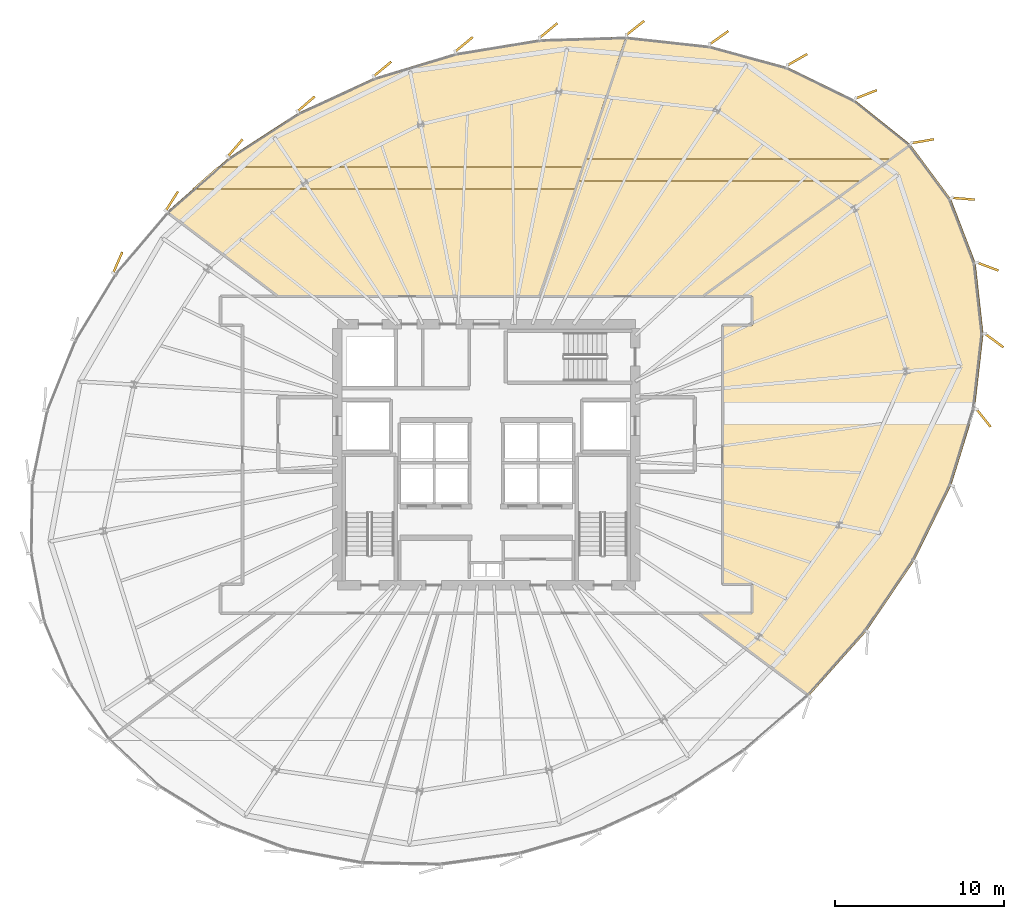
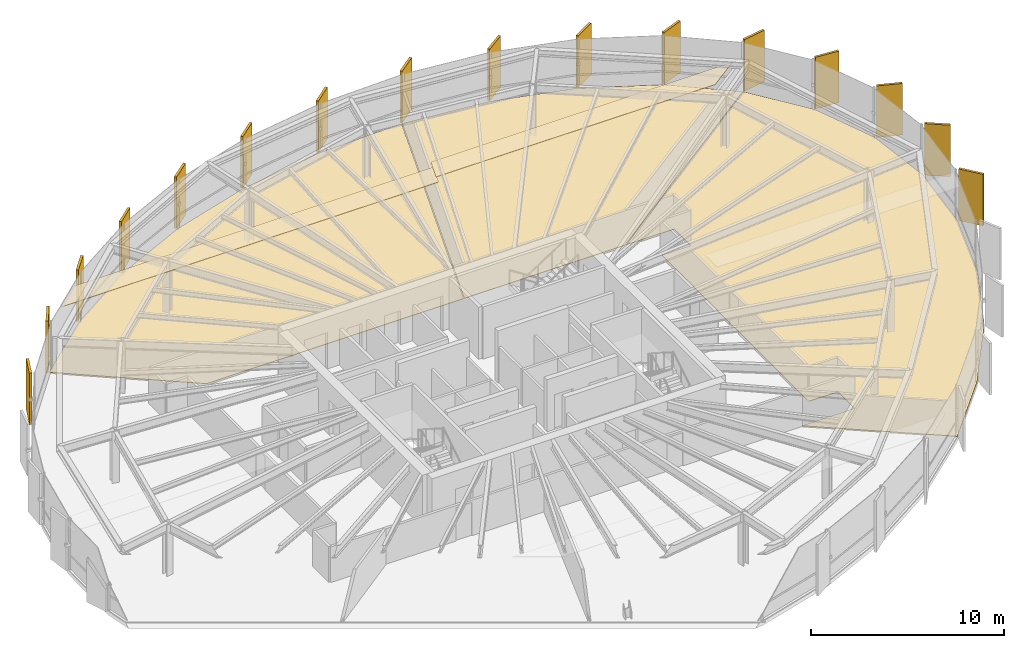
# One storey, part 36 of 36: 21 coverings.
"""IFC4 building model written with IfcOpenShell, lengths in metres."""

from ifc_helpers import new_model, si_unit, direction, frame, origin, origin_2d, place, context, subcontext, project, spatial, polyline, rectangle, outline, extrude, source, transform, mapped, material, layer, layer_set, type_object, element, save


model = new_model("IFC4")

# Units and contexts
model_context = context("Model", 3, precision=1e-05, world=origin(), true_north=direction((0.0, 1.0)))
body_context = subcontext(model_context, "Body", "Model", "MODEL_VIEW")
ifc_project = project(units=[si_unit("LENGTHUNIT", "METRE"), si_unit("AREAUNIT", "SQUARE_METRE"), si_unit("VOLUMEUNIT", "CUBIC_METRE"), si_unit("PLANEANGLEUNIT", "RADIAN"), si_unit("MASSUNIT", "GRAM", prefix="KILO"), si_unit("THERMODYNAMICTEMPERATUREUNIT", "KELVIN")], contexts=[model_context])

# Site, building, storey
site_placement = place(None, origin())
site = spatial("IfcSite", under=ifc_project, at=site_placement, CompositionType="ELEMENT")
building_placement = place(site_placement, origin())
building = spatial("IfcBuilding", under=site, at=building_placement, Name="Kethvar Cultural Tower", CompositionType="ELEMENT")
storey_placement = place(building_placement, frame((0.0, 0.0, 150.10009765625)))
storey = spatial("IfcBuildingStorey", under=building, at=storey_placement, Name="L38", CompositionType="ELEMENT", Elevation=150.10009765625)

# Coverings
ifc_material_1 = material(Name="Acoustic Mineral Fibre Ceiling")
ifc_layer_1 = layer(ifc_material_1, 0.0400390625, Name="Acoustic Mineral Fibre Ceiling")
ifc_layer_set_1 = layer_set([ifc_layer_1], Name="Acoustic Mineral Fibre Ceiling (40 mm)")
covering_type_1 = type_object("IfcCoveringType", Name="CV-ACOUSTIC-CEIL", PredefinedType="CEILING", material=ifc_layer_set_1)
covering_1_placement = place(storey_placement, frame((0.0, 0.0, 2.77978515625)))
element("IfcCovering", 1, at=covering_1_placement, inside=storey, type_object=covering_type_1, Name="L38 Room 04 Acoustic Ceiling Panel", PredefinedType="CEILING", context=body_context, shape_type="SweptSolid", body=[
    extrude(outline(polyline([(68.905517578125, 43.9609375), (52.185302734375, 43.9609375), (52.62353515625, 45.27099609375), (70.694580078125, 45.27099609375), (68.905517578125, 43.9609375)])), origin(), (0.0, 0.0, 1.0), 0.0400390625),
])
covering_2_placement = place(storey_placement, frame((0.0, 0.0, 2.77978515625)))
element("IfcCovering", 2, at=covering_2_placement, inside=storey, type_object=covering_type_1, Name="L38 Room 05 Acoustic Ceiling Panel", PredefinedType="CEILING", context=body_context, shape_type="SweptSolid", body=[
    extrude(outline(polyline([(30.9296875, 44.80810546875), (52.510986328125, 44.80810546875), (52.072509765625, 43.498046875), (29.432861328125, 43.498046875), (30.9296875, 44.80810546875)])), origin(), (0.0, 0.0, 1.0), 0.0400390625),
])
ifc_material_2 = material(Name="Honed Warm Limestone", Category="masonry")
ifc_layer_2 = layer(ifc_material_2, 0.030029296875, Name="Honed Warm Limestone", Category="masonry")
ifc_layer_set_2 = layer_set([ifc_layer_2], Name="Honed Warm Limestone (30 mm)")
covering_type_2 = type_object("IfcCoveringType", Name="CV-STONE-FLOOR", PredefinedType="FLOORING", material=ifc_layer_set_2)
covering_3_placement = place(storey_placement, origin())
element("IfcCovering", 3, at=covering_3_placement, inside=storey, type_object=covering_type_2, Name="L38 Room 03 Floor Finish", PredefinedType="FLOORING", context=body_context, shape_type="SweptSolid", body=[
    extrude(outline(polyline([(76.1455078125, 34.94287109375), (75.641845703125, 30.512451171875), (74.24755859375, 25.990966796875), (72.068359375, 21.551025390625), (69.2275390625, 17.359619140625), (65.860595703125, 13.577392578125), (59.368896484375, 18.429931640625), (62.52001953125, 18.449951171875), (62.51416015625, 20.1640625), (60.77001953125, 20.169921875), (60.77001953125, 35.429931640625), (62.51416015625, 35.435791015625), (62.51953125, 37.15380859375), (59.630859375, 37.169921875), (71.843017578125, 46.11181640625), (74.238525390625, 42.884521484375), (75.68603515625, 39.1162109375), (76.1455078125, 34.94287109375)])), origin(), (0.0, 0.0, 1.0), 0.02978515625),
])
covering_4_placement = place(storey_placement, origin())
element("IfcCovering", 4, at=covering_4_placement, inside=storey, type_object=covering_type_2, Name="L38 Room 04 Floor Finish", PredefinedType="FLOORING", context=body_context, shape_type="SweptSolid", body=[
    extrude(outline(polyline([(59.979736328125, 51.944091796875), (64.544189453125, 50.698486328125), (68.554931640625, 48.749755859375), (71.814208984375, 46.140380859375), (59.56298828125, 37.169921875), (49.955810546875, 37.169921875), (55.077880859375, 52.4814453125), (59.979736328125, 51.944091796875)])), origin(), (0.0, 0.0, 1.0), 0.02978515625),
])
covering_5_placement = place(storey_placement, origin())
element("IfcCovering", 5, at=covering_5_placement, inside=storey, type_object=covering_type_2, Name="L38 Room 05 Floor Finish", PredefinedType="FLOORING", context=body_context, shape_type="SweptSolid", body=[
    extrude(outline(polyline([(27.960205078125, 42.15625), (31.590087890625, 45.332763671875), (35.69970703125, 47.991455078125), (40.181884765625, 50.05615234375), (44.98779296875, 51.511474609375), (50.001953125, 52.330322265625), (55.035888671875, 52.482177734375), (49.91357421875, 37.169921875), (34.514892578125, 37.169921875), (27.960205078125, 42.15625)])), origin(), (0.0, 0.0, 1.0), 0.02978515625),
])
ifc_material_3 = material(Name="Extruded Architectural Terracotta", Category="masonry")
ifc_layer_3 = layer(ifc_material_3, 0.135009765625, Name="Extruded Architectural Terracotta", Category="masonry")
ifc_layer_set_3 = layer_set([ifc_layer_3], Name="Extruded Architectural Terracotta (135 mm)")
covering_type_3 = type_object("IfcCoveringType", Name="Terracotta Facade Fin FIN-02", PredefinedType="CLADDING", material=ifc_layer_set_3)
shared_shape = source(origin(), body_context, "Body", "SweptSolid", [
    extrude(rectangle(XDim=1.35009765625, YDim=0.135009765625, at=origin_2d()), origin(), (0.0, 0.0, 1.0), 3.260009765625),
])
for number, where, z_axis, x_axis, name in (
    (6, (74.969970703125, 42.919189453125, 0.02001953125), (0.0, 0.0, 1.0), (0.996806812434, -0.079850977983, 0.0), "L38 Vertical Terracotta Fin 1.1"),
    (7, (72.5625, 46.316650390625, 0.02001953125), (0.0, 0.0, 1.0), (0.985496884887, 0.169693517489, 0.0), "L38 Vertical Terracotta Fin 1.2"),
    (8, (69.2294921875, 49.083984375, 0.02001953125), (0.0, 0.0, 1.0), (0.931627814096, 0.363413835735, 0.0), "L38 Vertical Terracotta Fin 1.3"),
    (9, (65.158447265625, 51.12939453125, 0.02001953125), (0.0, 0.0, 1.0), (0.868198814489, 0.496216503675, 0.0), "L38 Vertical Terracotta Fin 1.4"),
    (10, (60.54296875, 52.43359375, 0.02001953125), (0.0, 0.0, 1.0), (0.816036722469, 0.578000058462, 0.0), "L38 Vertical Terracotta Fin 1.5"),
    (11, (55.590576171875, 53.00244140625, 0.02001953125), (0.0, 0.0, 1.0), (0.783476588107, 0.621421303053, 0.0), "L38 Vertical Terracotta Fin 1.6"),
    (12, (50.468994140625, 52.85302734375, 0.02001953125), (0.0, 0.0, 1.0), (0.770846891561, 0.6370204626, 0.0), "L38 Vertical Terracotta Fin 2.1"),
    (13, (45.479736328125, 52.038330078125, 0.02001953125), (0.0, 0.0, 1.0), (0.769733907611, 0.638364873308, 0.0), "L38 Vertical Terracotta Fin 2.2"),
    (14, (40.661376953125, 50.577880859375, 0.02001953125), (0.0, 0.0, 1.0), (0.770401979567, 0.63755845997, 0.0), "L38 Vertical Terracotta Fin 2.3"),
    (15, (36.15673828125, 48.518310546875, 0.02001953125), (0.0, 0.0, 1.0), (0.755739183826, 0.654872725061, 0.0), "L38 Vertical Terracotta Fin 2.4"),
    (16, (31.96630859375, 45.919921875, 0.02001953125), (0.0, 0.0, 1.0), (0.653552714599, 0.756881000713, 0.0), "L38 Vertical Terracotta Fin 2.5"),
    (17, (28.227783203125, 42.777587890625, 0.02001953125), (0.0, 0.0, 1.0), (0.534057264801, 0.845448305879, 0.0), "L38 Vertical Terracotta Fin 2.6"),
    (18, (25.03125, 39.1533203125, 0.02001953125), (0.0, 0.0, 1.0), (0.396186602653, 0.918170014691, 0.0), "L38 Vertical Terracotta Fin 3.1"),
    (19, (76.161376953125, 29.97119140625, 0.02001953125), (0.0, 0.0, 1.0), (0.622651218046, -0.782499495633, 0.0), "L38 Vertical Terracotta Fin 6.4"),
    (20, (76.78759765625, 34.55029296875, 0.02001953125), (0.0, 0.0, 1.0), (0.803856860617, -0.594822786751, 0.0), "L38 Vertical Terracotta Fin 6.5"),
    (21, (76.412353515625, 38.9130859375, 0.02001953125), (0.0, 0.0, 1.0), (0.936427470132, -0.350861216412, 0.0), "L38 Vertical Terracotta Fin 6.6"),
):
    element("IfcCovering", number, at=place(storey_placement, frame(where, z_axis=z_axis, x_axis=x_axis)), inside=storey, type_object=covering_type_3, Name=name, PredefinedType="CLADDING", context=body_context, shape_type="MappedRepresentation", body=[
        mapped(shared_shape, transform((0.0, 0.0, 0.0), scale=1.0)),
    ])

save(model, "model.ifc")
